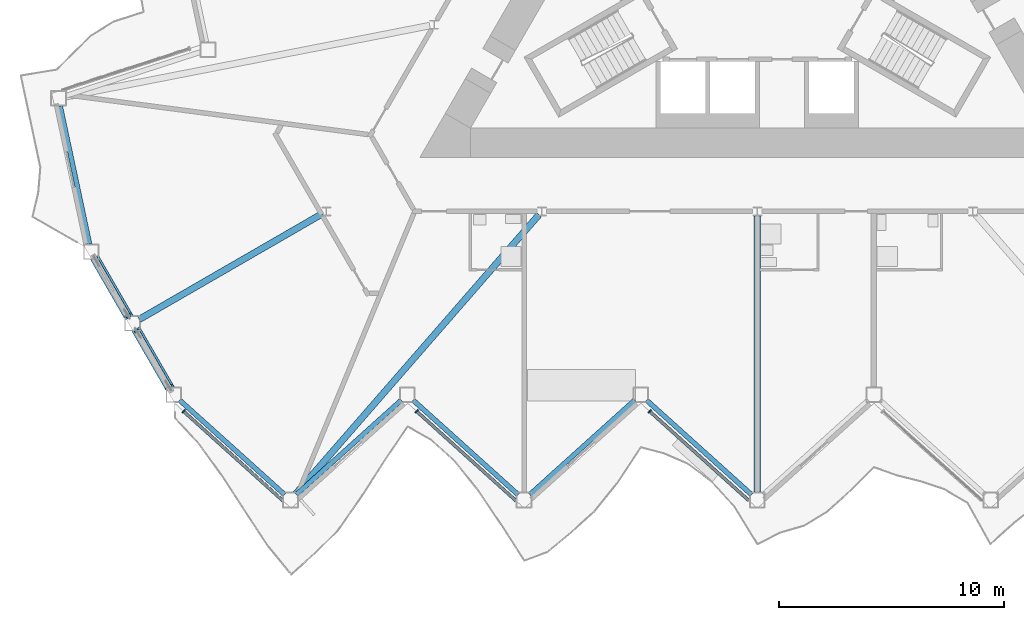
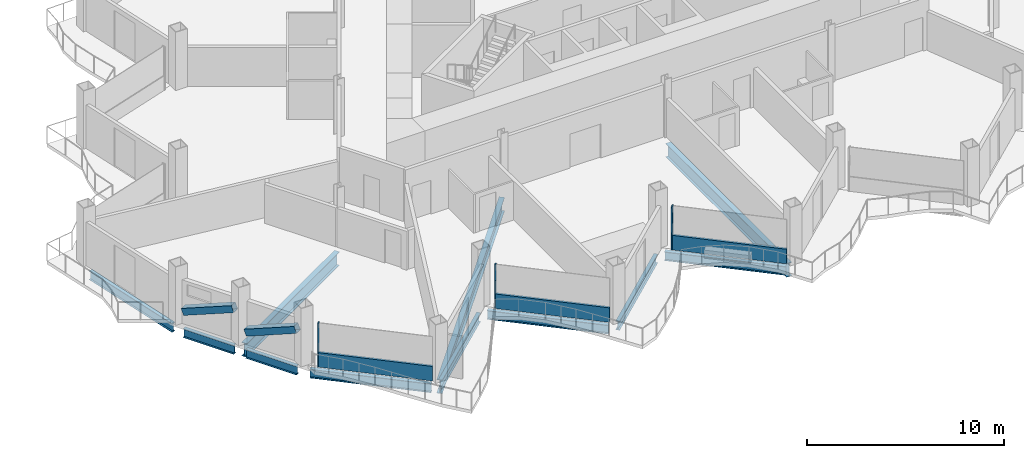
# One storey, part 4 of 23: 11 beams, 8 members, 3 elements without a shape of their own.
"""IFC4 building model written with IfcOpenShell, lengths in metres."""

from ifc_helpers import new_model, si_unit, direction, frame, origin, origin_2d, place, context, subcontext, project, spatial, rectangle, hollow_rectangle, i_section, extrude, material, layer, layer_set, material_profile, profile_set, type_object, element, aggregate, save


model = new_model("IFC4")

# Units and contexts
model_context = context("Model", 3, precision=1e-05, world=origin(), true_north=direction((0.0, 1.0)))
body_context = subcontext(model_context, "Body", "Model", "MODEL_VIEW")
ifc_project = project(units=[si_unit("LENGTHUNIT", "METRE"), si_unit("AREAUNIT", "SQUARE_METRE"), si_unit("VOLUMEUNIT", "CUBIC_METRE"), si_unit("PLANEANGLEUNIT", "RADIAN"), si_unit("MASSUNIT", "GRAM", prefix="KILO")], contexts=[model_context])

# Site, building, storey
site_placement = place(None, origin())
site = spatial("IfcSite", under=ifc_project, at=site_placement, CompositionType="ELEMENT")
building_placement = place(site_placement, origin())
building = spatial("IfcBuilding", under=site, at=building_placement, Name="Cormorant Prow Tower", CompositionType="ELEMENT")
storey_placement = place(building_placement, frame((0.0, 0.0, 259.800048828125)))
storey = spatial("IfcBuildingStorey", under=building, at=storey_placement, Name="L58", CompositionType="ELEMENT", Elevation=259.800048828125)

# Members
ifc_material_1 = material(Name="Structural steel ASTM A500 Gr C", Category="steel")
ifc_material_profile_1 = material_profile(ifc_material_1, hollow_rectangle(XDim=0.406494140625, YDim=0.406494140625, WallThickness=0.01171875, at=origin_2d()), Name="HSS16x16x1/2")
ifc_profile_set_1 = profile_set([ifc_material_profile_1], Name="Structural steel ASTM A500 Gr C")
member_type_1 = type_object("IfcMemberType", Name="Chamfer brace HSS16x16x1/2", PredefinedType="BRACE", material=ifc_profile_set_1)
for number, where, z_axis, x_axis, name in (
    (1, (-29.4287109375, -13.174560546875, 0.74951171875), (0.462773096913, -0.801606962687, 0.378506721399), (0.866041729639, 0.499971721724, 0.0), "Chamfer brace BR2 at WSW00 L58"),
    (2, (-27.593505859375, -16.353271484375, 0.74951171875), (0.462773096913, -0.801606962687, 0.378506721399), (0.866041729639, 0.499971721724, 0.0), "Chamfer brace BR2 at WSW01 L58"),
):
    element("IfcMember", number, at=place(storey_placement, frame(where, z_axis=z_axis, x_axis=x_axis)), inside=storey, type_object=member_type_1, Name=name, PredefinedType="BRACE", context=body_context, shape_type="SweptSolid", body=[
        extrude(hollow_rectangle(XDim=0.406494140625, YDim=0.406494140625, WallThickness=0.01171875, at=origin_2d()), origin(), (0.0, 0.0, 1.0), 3.17529296875),
    ])

# Curtain wall, member
ifc_material_2 = material(Name="Aluminium 6063-T6", Category="aluminium")
ifc_layer = layer(ifc_material_2, 0.179931640625)
ifc_layer_set = layer_set([ifc_layer], Name="Aluminium 6063-T6")
curtain_wall_type = type_object("IfcCurtainWallType", Name="Hotel unitised curtain wall 180", PredefinedType="NOTDEFINED", material=ifc_layer_set)
curtain_wall_1_placement = place(storey_placement, origin())
curtain_wall_1 = element("IfcCurtainWall", 3, at=curtain_wall_1_placement, inside=storey, type_object=curtain_wall_type, Name="Hotel curtain wall S00", PredefinedType="NOTDEFINED")
ifc_material_3 = material(Name="Aluminium 6063-T6", Category="aluminium")
ifc_material_profile_2 = material_profile(ifc_material_3, rectangle(XDim=0.179931640625, YDim=0.06005859375, at=origin_2d()), Name="Hotel mullion 60x180")
ifc_profile_set_2 = profile_set([ifc_material_profile_2], Name="Aluminium 6063-T6")
member_type_2 = type_object("IfcMemberType", Name="Hotel mullion 60x180", PredefinedType="MULLION", material=ifc_profile_set_2)
member_1_placement = place(storey_placement, frame((-25.5029296875, -19.94873046875, 0.0), z_axis=(0.0, 0.0, 1.0), x_axis=(0.669130602377, 0.743144829063, 0.0)))
member_1 = element("IfcMember", 4, at=member_1_placement, type_object=member_type_2, Name="Hotel mullion S00", PredefinedType="MULLION", context=body_context, shape_type="SweptSolid", body=[
    extrude(rectangle(XDim=0.179931640625, YDim=0.06005859375, at=origin_2d()), origin(), (0.0, 0.0, 1.0), 2.700927734375),
])

curtain_wall_2_placement = place(storey_placement, origin())
curtain_wall_2 = element("IfcCurtainWall", 5, at=curtain_wall_2_placement, inside=storey, type_object=curtain_wall_type, Name="Hotel curtain wall S02", PredefinedType="NOTDEFINED")
member_2_placement = place(storey_placement, frame((-15.143798828125, -19.94873046875, 0.0), z_axis=(0.0, 0.0, 1.0), x_axis=(0.669130602377, 0.743144829063, 0.0)))
member_2 = element("IfcMember", 6, at=member_2_placement, type_object=member_type_2, Name="Hotel mullion S02", PredefinedType="MULLION", context=body_context, shape_type="SweptSolid", body=[
    extrude(rectangle(XDim=0.179931640625, YDim=0.06005859375, at=origin_2d()), origin(), (0.0, 0.0, 1.0), 2.700927734375),
])

curtain_wall_3_placement = place(storey_placement, origin())
curtain_wall_3 = element("IfcCurtainWall", 7, at=curtain_wall_3_placement, inside=storey, type_object=curtain_wall_type, Name="Hotel curtain wall S04", PredefinedType="NOTDEFINED")
member_3_placement = place(storey_placement, frame((-4.784912109375, -19.94873046875, 0.0), z_axis=(0.0, 0.0, 1.0), x_axis=(0.669130602377, 0.743144829063, 0.0)))
member_3 = element("IfcMember", 8, at=member_3_placement, type_object=member_type_2, Name="Hotel mullion S04", PredefinedType="MULLION", context=body_context, shape_type="SweptSolid", body=[
    extrude(rectangle(XDim=0.179931640625, YDim=0.06005859375, at=origin_2d()), origin(), (0.0, 0.0, 1.0), 2.700927734375),
])

# Member
ifc_material_4 = material(Name="Terracotta", Category="masonry")
ifc_material_profile_3 = material_profile(ifc_material_4, rectangle(XDim=0.139892578125, YDim=0.89990234375, at=origin_2d()), Name="Hotel terracotta spandrel rail 140x900")
ifc_profile_set_3 = profile_set([ifc_material_profile_3], Name="Terracotta")
member_type_3 = type_object("IfcMemberType", Name="Hotel terracotta spandrel rail 140x900", PredefinedType="USERDEFINED", material=ifc_profile_set_3)
member_4_placement = place(storey_placement, frame((-25.480712890625, -19.968994140625, 0.449951171875), z_axis=(0.743164674775, -0.669108560823, 0.0), x_axis=(0.669108560823, 0.743164674775, 0.0)))
member_4 = element("IfcMember", 9, at=member_4_placement, type_object=member_type_3, Name="Hotel spandrel rail S00", ObjectType="TRANSOM", PredefinedType="USERDEFINED", context=body_context, shape_type="SweptSolid", body=[
    extrude(rectangle(XDim=0.139892578125, YDim=0.89990234375, at=origin_2d()), origin(), (0.0, 0.0, 1.0), 5.90771484375),
])

aggregate(curtain_wall_1, [member_1, member_4])

member_5_placement = place(storey_placement, frame((-15.12158203125, -19.968994140625, 0.449951171875), z_axis=(0.743146172033, -0.669129110854, 0.0), x_axis=(0.669129110854, 0.743146172033, 0.0)))
member_5 = element("IfcMember", 10, at=member_5_placement, type_object=member_type_3, Name="Hotel spandrel rail S02", ObjectType="TRANSOM", PredefinedType="USERDEFINED", context=body_context, shape_type="SweptSolid", body=[
    extrude(rectangle(XDim=0.139892578125, YDim=0.89990234375, at=origin_2d()), origin(), (0.0, 0.0, 1.0), 5.907470703125),
])

aggregate(curtain_wall_2, [member_2, member_5])

member_6_placement = place(storey_placement, frame((-4.7626953125, -19.968994140625, 0.449951171875), z_axis=(0.743164674775, -0.669108560823, 0.0), x_axis=(0.669108560823, 0.743164674775, 0.0)))
member_6 = element("IfcMember", 11, at=member_6_placement, type_object=member_type_3, Name="Hotel spandrel rail S04", ObjectType="TRANSOM", PredefinedType="USERDEFINED", context=body_context, shape_type="SweptSolid", body=[
    extrude(rectangle(XDim=0.139892578125, YDim=0.89990234375, at=origin_2d()), origin(), (0.0, 0.0, 1.0), 5.90771484375),
])

aggregate(curtain_wall_3, [member_3, member_6])

# Beams
ifc_material_5 = material(Name="Structural steel ASTM A992 Gr 50", Category="steel")
ifc_material_profile_4 = material_profile(ifc_material_5, i_section(OverallWidth=0.29296875, OverallDepth=0.845703125, WebThickness=0.015380859375, FlangeThickness=0.0244140625, at=origin_2d()), Name="W33x141")
ifc_profile_set_4 = profile_set([ifc_material_profile_4], Name="Structural steel ASTM A992 Gr 50")
beam_type_1 = type_object("IfcBeamType", Name="Radial floor beam W33x141", PredefinedType="BEAM", material=ifc_profile_set_4)
beam_1_placement = place(storey_placement, frame((-19.32958984375, -11.159912109375, -0.77294921875), z_axis=(-0.866021726843, -0.500006368596, 0.0), x_axis=(0.500006368596, -0.866021726843, 0.0)))
element("IfcBeam", 12, at=beam_1_placement, inside=storey, type_object=beam_type_1, Name="Radial floor beam FB2 5 L58", PredefinedType="BEAM", context=body_context, shape_type="SweptSolid", body=[
    extrude(i_section(OverallWidth=0.29296875, OverallDepth=0.845703125, WebThickness=0.015380859375, FlangeThickness=0.0244140625, at=origin_2d()), origin(), (0.0, 0.0, 1.0), 9.40380859375),
])
beam_2_placement = place(storey_placement, frame((-9.70947265625, -11.210693359375, -0.77294921875), z_axis=(-0.656874593387, -0.753999846527, 0.0), x_axis=(0.753999846527, -0.656874593387, 0.0)))
element("IfcBeam", 13, at=beam_2_placement, inside=storey, type_object=beam_type_1, Name="Radial floor beam FB2 6 L58", PredefinedType="BEAM", context=body_context, shape_type="SweptSolid", body=[
    extrude(i_section(OverallWidth=0.29296875, OverallDepth=0.845703125, WebThickness=0.015380859375, FlangeThickness=0.0244140625, at=origin_2d()), origin(), (0.0, 0.0, 1.0), 16.4619140625),
])
beam_3_placement = place(storey_placement, frame((0.0, -11.259765625, -0.77294921875), z_axis=(0.0, -1.0, 0.0), x_axis=(1.0, 0.0, 0.0)))
element("IfcBeam", 14, at=beam_3_placement, inside=storey, type_object=beam_type_1, Name="Radial floor beam FB2 7 L58", PredefinedType="BEAM", context=body_context, shape_type="SweptSolid", body=[
    extrude(i_section(OverallWidth=0.29296875, OverallDepth=0.845703125, WebThickness=0.015380859375, FlangeThickness=0.0244140625, at=origin_2d()), origin(), (0.0, 0.0, 1.0), 12.277099609375),
])
ifc_material_6 = material(Name="Structural steel ASTM A992 Gr 50", Category="steel")
ifc_material_profile_5 = material_profile(ifc_material_6, i_section(OverallWidth=0.2138671875, OverallDepth=0.549072265625, WebThickness=0.0146484375, FlangeThickness=0.023681640625, at=origin_2d()), Name="W21x93")
ifc_profile_set_5 = profile_set([ifc_material_profile_5], Name="Structural steel ASTM A992 Gr 50")
beam_type_2 = type_object("IfcBeamType", Name="Spandrel beam W21x93", PredefinedType="SPANDREL", material=ifc_profile_set_5)
for number, where, z_axis, x_axis, name in (
    (15, (-25.68115234375, -19.44970703125, -0.62451171875), (0.743156918576, -0.669117175368, 0.0), (0.669117175368, 0.743156918576, 0.0), "Spandrel beam SB2 S00-S01 L58"),
    (16, (-20.492919921875, -23.65283203125, -0.62451171875), (0.743156918576, 0.669117175368, 0.0), (-0.669117175368, 0.743156918576, 0.0), "Spandrel beam SB2 S01-S02 L58"),
    (17, (-15.3046875, -19.44970703125, -0.62451171875), (0.743156918576, -0.669117175368, 0.0), (0.669117175368, 0.743156918576, 0.0), "Spandrel beam SB2 S02-S03 L58"),
    (18, (-10.116455078125, -23.65283203125, -0.62451171875), (0.743156918576, 0.669117175368, 0.0), (-0.669117175368, 0.743156918576, 0.0), "Spandrel beam SB2 S03-S04 L58"),
    (19, (-4.92822265625, -19.44970703125, -0.62451171875), (0.743156918576, -0.669117175368, 0.0), (0.669117175368, 0.743156918576, 0.0), "Spandrel beam SB2 S04-S05 L58"),
):
    element("IfcBeam", number, at=place(storey_placement, frame(where, z_axis=z_axis, x_axis=x_axis)), inside=storey, type_object=beam_type_2, Name=name, PredefinedType="SPANDREL", context=body_context, shape_type="SweptSolid", body=[
        extrude(i_section(OverallWidth=0.2138671875, OverallDepth=0.549072265625, WebThickness=0.0146484375, FlangeThickness=0.023681640625, at=origin_2d()), origin(), (0.0, 0.0, 1.0), 6.281494140625),
    ])
beam_4_placement = place(storey_placement, frame((-30.990478515625, -6.37158203125, -0.62451171875), z_axis=(0.207941499013, -0.978141264331, 0.0), x_axis=(0.978141264331, 0.207941499013, 0.0)))
element("IfcBeam", 20, at=beam_4_placement, inside=storey, type_object=beam_type_2, Name="Spandrel beam SB2 WNW09-WSW00 L58", PredefinedType="SPANDREL", context=body_context, shape_type="SweptSolid", body=[
    extrude(i_section(OverallWidth=0.2138671875, OverallDepth=0.549072265625, WebThickness=0.0146484375, FlangeThickness=0.023681640625, at=origin_2d()), origin(), (0.0, 0.0, 1.0), 6.28125),
])
for number, where, z_axis, x_axis, name in (
    (21, (-29.4365234375, -13.1611328125, -0.62451171875), (0.499966725515, -0.866044613965, 0.0), (0.866044613965, 0.499966725515, 0.0), "Spandrel beam SB2 WSW00-WSW01 L58"),
    (22, (-27.601318359375, -16.33984375, -0.62451171875), (0.499966725515, -0.866044613965, 0.0), (0.866044613965, 0.499966725515, 0.0), "Spandrel beam SB2 WSW01-S00 L58"),
):
    element("IfcBeam", number, at=place(storey_placement, frame(where, z_axis=z_axis, x_axis=x_axis)), inside=storey, type_object=beam_type_2, Name=name, PredefinedType="SPANDREL", context=body_context, shape_type="SweptSolid", body=[
        extrude(i_section(OverallWidth=0.2138671875, OverallDepth=0.549072265625, WebThickness=0.0146484375, FlangeThickness=0.023681640625, at=origin_2d()), origin(), (0.0, 0.0, 1.0), 2.970458984375),
    ])

save(model, "model.ifc")
